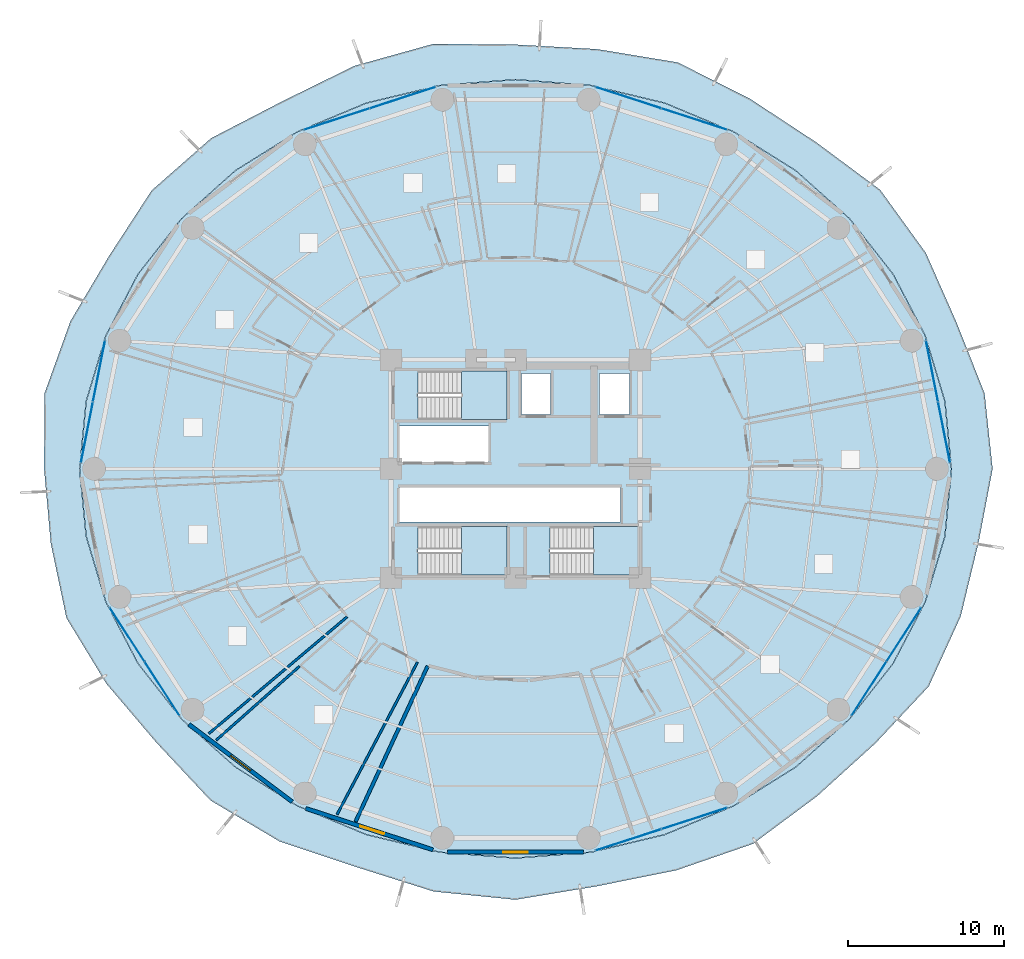
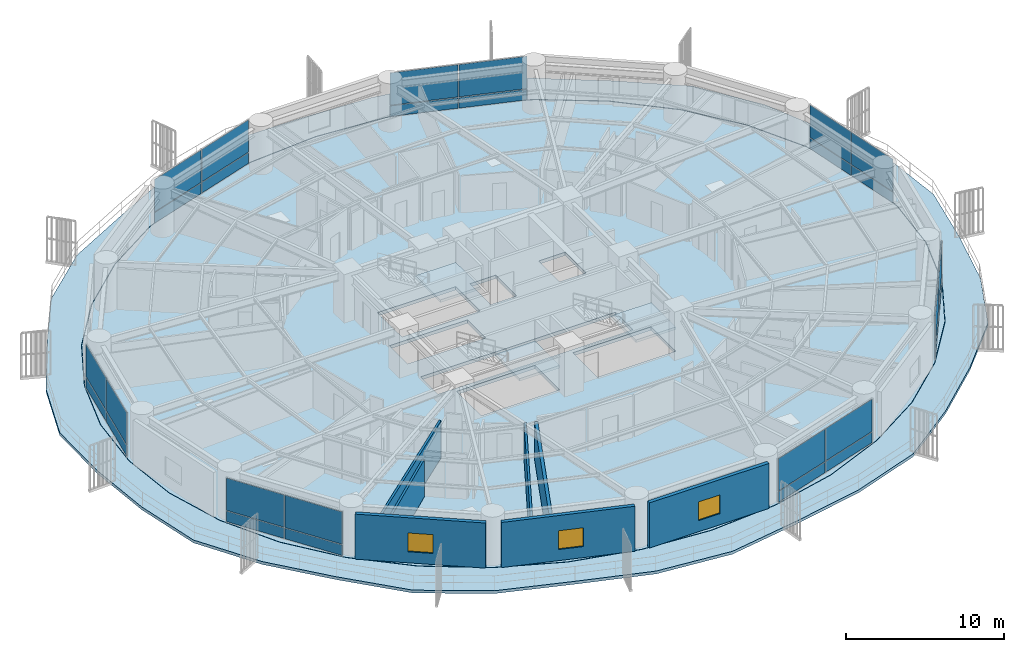
# One storey, part 22 of 33: 28 plates, 7 walls, 5 slabs, 3 windows, 3 openings, 10 elements without a shape of their own.
"""IFC4 building model written with IfcOpenShell, lengths in metres."""

from ifc_helpers import new_model, si_unit, direction, frame, frame_2d, origin, origin_2d, place, context, subcontext, project, spatial, polyline, rectangle, outline, extrude, source, transform, mapped, material, layer, layer_set, type_object, element, fill, aggregate, save


model = new_model("IFC4")

# Units and contexts
model_context = context("Model", 3, precision=1e-05, world=origin(), true_north=direction((0.0, 1.0)))
body_context = subcontext(model_context, "Body", "Model", "MODEL_VIEW")
ifc_project = project(units=[si_unit("LENGTHUNIT", "METRE"), si_unit("AREAUNIT", "SQUARE_METRE"), si_unit("VOLUMEUNIT", "CUBIC_METRE"), si_unit("PLANEANGLEUNIT", "RADIAN"), si_unit("MASSUNIT", "GRAM", prefix="KILO")], contexts=[model_context])

# Site, building, storey
site_placement = place(None, origin())
site = spatial("IfcSite", under=ifc_project, at=site_placement, CompositionType="ELEMENT")
building_placement = place(site_placement, origin())
building = spatial("IfcBuilding", under=site, at=building_placement, Name="Kelanora Arch Commons", CompositionType="ELEMENT")
storey_placement = place(building_placement, frame((0.0, 0.0, 37.5)))
storey = spatial("IfcBuildingStorey", under=building, at=storey_placement, Name="L09", CompositionType="ELEMENT", Elevation=37.5)

# Stair, slab
ifc_material_1 = material(Name="Concrete C40/50", Category="concrete")
stair_type = type_object("IfcStairType", Name="STR-DL-375", PredefinedType="HALF_TURN_STAIR", material=ifc_material_1)
stair_1_placement = place(storey_placement, origin())
stair_1 = element("IfcStair", 1, at=stair_1_placement, inside=storey, type_object=stair_type, Name="L09 ST-T1", PredefinedType="HALF_TURN_STAIR")
ifc_layer_1 = layer(ifc_material_1, 0.199951171875)
ifc_layer_set_1 = layer_set([ifc_layer_1], Name="Concrete C40/50")
slab_type_1 = type_object("IfcSlabType", Name="SLB-STAIR-LND", PredefinedType="LANDING", material=ifc_layer_set_1)
slab_1_placement = place(storey_placement, frame((0.0, 0.0, 1.675048828125)))
slab_1 = element("IfcSlab", 2, at=slab_1_placement, type_object=slab_type_1, Name="ST-T1 landing 1", PredefinedType="LANDING", context=body_context, shape_type="SweptSolid", body=[
    extrude(outline(polyline([(70.52001953125, 61.179931640625), (73.43994140625, 61.179931640625), (73.43994140625, 64.2900390625), (70.52001953125, 64.2900390625), (70.52001953125, 61.179931640625)])), origin(), (0.0, 0.0, 1.0), 0.199951171875),
])
aggregate(stair_1, [slab_1])

stair_2_placement = place(storey_placement, origin())
stair_2 = element("IfcStair", 3, at=stair_2_placement, inside=storey, type_object=stair_type, Name="L09 ST-T2", PredefinedType="HALF_TURN_STAIR")
slab_2_placement = place(storey_placement, frame((0.0, 0.0, 1.675048828125)))
slab_2 = element("IfcSlab", 4, at=slab_2_placement, type_object=slab_type_1, Name="ST-T2 landing 1", PredefinedType="LANDING", context=body_context, shape_type="SweptSolid", body=[
    extrude(outline(polyline([(79.0, 51.179931640625), (81.919921875, 51.179931640625), (81.919921875, 54.2900390625), (79.0, 54.2900390625), (79.0, 51.179931640625)])), origin(), (0.0, 0.0, 1.0), 0.199951171875),
])
aggregate(stair_2, [slab_2])

stair_3_placement = place(storey_placement, origin())
stair_3 = element("IfcStair", 5, at=stair_3_placement, inside=storey, type_object=stair_type, Name="L09 ST-T3", PredefinedType="HALF_TURN_STAIR")
slab_3_placement = place(storey_placement, frame((0.0, 0.0, 1.675048828125)))
slab_3 = element("IfcSlab", 6, at=slab_3_placement, type_object=slab_type_1, Name="ST-T3 landing 1", PredefinedType="LANDING", context=body_context, shape_type="SweptSolid", body=[
    extrude(outline(polyline([(70.52001953125, 51.179931640625), (73.43994140625, 51.179931640625), (73.43994140625, 54.2900390625), (70.52001953125, 54.2900390625), (70.52001953125, 51.179931640625)])), origin(), (0.0, 0.0, 1.0), 0.199951171875),
])
aggregate(stair_3, [slab_3])

# Slabs
ifc_layer_2 = layer(ifc_material_1, 0.260009765625)
ifc_layer_set_2 = layer_set([ifc_layer_2], Name="Concrete C40/50")
slab_type_2 = type_object("IfcSlabType", Name="SLB-TWR-TYP", PredefinedType="FLOOR", material=ifc_layer_set_2)
slab_4_placement = place(storey_placement, frame((0.0, 0.0, -0.260009765625)))
element("IfcSlab", 7, at=slab_4_placement, inside=storey, type_object=slab_type_2, Name="Tower Floor Slab L09", PredefinedType="FLOOR", context=body_context, shape_type="SweptSolid", body=[
    extrude(outline(polyline([(102.0, 58.0), (101.57470703125, 62.34130859375), (100.311279296875, 66.550537109375), (98.248779296875, 70.5), (95.44921875, 74.069580078125), (91.998046875, 77.151123046875), (88.0, 79.650634765625), (83.57666015625, 81.4921875), (78.862060546875, 82.6201171875), (74.0, 83.0), (69.137939453125, 82.6201171875), (64.42333984375, 81.4921875), (60.0, 79.650634765625), (56.001953125, 77.151123046875), (52.55078125, 74.069580078125), (49.751220703125, 70.5), (47.688720703125, 66.550537109375), (46.42529296875, 62.34130859375), (46.0, 58.0), (46.42529296875, 53.65869140625), (47.688720703125, 49.449462890625), (49.751220703125, 45.5), (52.55078125, 41.930419921875), (56.001953125, 38.848876953125), (60.0, 36.349365234375), (64.42333984375, 34.5078125), (69.137939453125, 33.3798828125), (74.0, 33.0), (78.862060546875, 33.3798828125), (83.57666015625, 34.5078125), (88.0, 36.349365234375), (91.998046875, 38.848876953125), (95.44921875, 41.930419921875), (98.248779296875, 45.5), (100.311279296875, 49.449462890625), (101.57470703125, 53.65869140625), (102.0, 58.0)]), holes=[polyline([(73.431884765625, 51.18798828125), (67.72802734375, 51.18798828125), (67.72802734375, 54.281982421875), (73.431884765625, 54.281982421875), (73.431884765625, 51.18798828125)]), polyline([(76.2080078125, 51.18798828125), (76.2080078125, 54.281982421875), (81.912109375, 54.281982421875), (81.912109375, 51.18798828125), (76.2080078125, 51.18798828125)]), polyline([(66.550048828125, 54.60009765625), (66.550048828125, 56.800048828125), (80.75, 56.800048828125), (80.75, 54.60009765625), (66.550048828125, 54.60009765625)]), polyline([(66.550048828125, 58.449951171875), (66.550048828125, 60.75), (72.25, 60.75), (72.25, 58.449951171875), (66.550048828125, 58.449951171875)]), polyline([(67.72802734375, 61.18798828125), (67.72802734375, 64.281982421875), (73.431884765625, 64.281982421875), (73.431884765625, 61.18798828125), (67.72802734375, 61.18798828125)]), polyline([(74.3798828125, 61.47998046875), (74.3798828125, 64.1201171875), (76.260009765625, 64.1201171875), (76.260009765625, 61.47998046875), (74.3798828125, 61.47998046875)]), polyline([(79.3798828125, 61.47998046875), (79.3798828125, 64.1201171875), (81.320068359375, 64.1201171875), (81.320068359375, 61.47998046875), (79.3798828125, 61.47998046875)])]), origin(), (0.0, 0.0, 1.0), 0.260009765625),
])
ifc_layer_3 = layer(ifc_material_1, 0.219970703125)
ifc_layer_set_3 = layer_set([ifc_layer_3], Name="Concrete C40/50")
slab_type_3 = type_object("IfcSlabType", Name="SLB-WAVE-BAL", PredefinedType="FLOOR", material=ifc_layer_set_3)
slab_5_placement = place(storey_placement, frame((0.0, 0.0, -0.219970703125)))
element("IfcSlab", 8, at=slab_5_placement, inside=storey, type_object=slab_type_3, Name="Sinusoidal Wave Balcony Slab L09", PredefinedType="FLOOR", context=body_context, shape_type="SweptSolid", body=[
    extrude(outline(polyline([(104.64990234375, 58.0), (104.13525390625, 62.846923828125), (102.34326171875, 67.37890625), (100.36376953125, 71.86767578125), (97.42578125, 75.92724609375), (93.350341796875, 78.956298828125), (89.087890625, 81.760986328125), (84.426513671875, 84.107666015625), (79.2314453125, 84.965576171875), (74.0, 85.255615234375), (68.716064453125, 85.2998046875), (63.64501953125, 83.8876953125), (58.99462890625, 81.60107421875), (54.43701171875, 79.239990234375), (50.61962890625, 75.884521484375), (47.898193359375, 71.6982421875), (45.4013671875, 67.48291015625), (43.744140625, 62.87060546875), (43.7099609375, 58.0), (44.139404296875, 53.20751953125), (45.14599609375, 48.4130859375), (47.718017578125, 44.185302734375), (50.927490234375, 40.40478515625), (54.392333984375, 36.700439453125), (58.824462890625, 34.06884765625), (63.74658203125, 32.4248046875), (68.73876953125, 30.84521484375), (74.0, 30.3154296875), (79.20849609375, 31.179443359375), (84.324951171875, 32.204833984375), (89.258056640625, 33.90869140625), (93.39501953125, 36.984130859375), (97.117919921875, 40.362060546875), (100.543701171875, 44.015869140625), (102.5986328125, 48.51708984375), (103.73974609375, 53.231201171875), (104.64990234375, 58.0)]), holes=[polyline([(101.59423828125, 53.6552734375), (100.330078125, 49.442626953125), (98.26611328125, 45.489990234375), (95.464599609375, 41.91748046875), (92.010986328125, 38.83349609375), (88.010009765625, 36.33203125), (83.58349609375, 34.489013671875), (78.865478515625, 33.360107421875), (74.0, 32.97998046875), (69.134521484375, 33.360107421875), (64.41650390625, 34.489013671875), (59.989990234375, 36.33203125), (55.989013671875, 38.83349609375), (52.535400390625, 41.91748046875), (49.73388671875, 45.489990234375), (47.669921875, 49.442626953125), (46.40576171875, 53.6552734375), (45.97998046875, 58.0), (46.40576171875, 62.3447265625), (47.669921875, 66.557373046875), (49.73388671875, 70.510009765625), (52.535400390625, 74.08251953125), (55.989013671875, 77.16650390625), (59.989990234375, 79.66796875), (64.41650390625, 81.510986328125), (69.134521484375, 82.639892578125), (74.0, 83.02001953125), (78.865478515625, 82.639892578125), (83.58349609375, 81.510986328125), (88.010009765625, 79.66796875), (92.010986328125, 77.16650390625), (95.464599609375, 74.08251953125), (98.26611328125, 70.510009765625), (100.330078125, 66.557373046875), (101.59423828125, 62.3447265625), (102.02001953125, 58.0), (101.59423828125, 53.6552734375)])]), origin(), (0.0, 0.0, 1.0), 0.219970703125),
])

# Curtain wall, plates
ifc_material_2 = material(Name="Terracotta ceramic-fritted low-E glass and aluminium", Category="masonry")
ifc_layer_4 = layer(ifc_material_2, 0.159912109375)
ifc_layer_set_4 = layer_set([ifc_layer_4], Name="Terracotta ceramic-fritted low-E glass and aluminium")
curtain_wall_type = type_object("IfcCurtainWallType", Name="CW-SYS-01", PredefinedType="NOTDEFINED", material=ifc_layer_set_4)
curtain_wall_1_placement = place(storey_placement, origin())
curtain_wall_1 = element("IfcCurtainWall", 9, at=curtain_wall_1_placement, inside=storey, type_object=curtain_wall_type, Name="Unitised Curtain Wall L09-B00", PredefinedType="NOTDEFINED")
ifc_material_3 = material(Name="Terracotta ceramic-fritted double glazing", Category="masonry")
ifc_layer_5 = layer(ifc_material_3, 0.028076171875)
ifc_layer_set_5 = layer_set([ifc_layer_5], Name="Terracotta ceramic-fritted double glazing")
plate_type = type_object("IfcPlateType", Name="CWP-FRIT", PredefinedType="CURTAIN_PANEL", material=ifc_layer_set_5)
shared_shape_1 = source(origin(), body_context, "Body", "SweptSolid", [
    extrude(rectangle(XDim=3.9482421875, YDim=0.028076171875, at=origin_2d()), origin(), (0.0, 0.0, 1.0), 0.81005859375),
])
plate_1_placement = place(storey_placement, frame((101.536865234375, 60.34521484375, 0.06005859375), z_axis=(0.0, 0.0, 1.0), x_axis=(-0.193744048498, 0.981052110579, 0.0)))
plate_1 = element("IfcPlate", 10, at=plate_1_placement, type_object=plate_type, Name="CW-01 panel 1.1", PredefinedType="CURTAIN_PANEL", context=body_context, shape_type="MappedRepresentation", body=[
    mapped(shared_shape_1, transform((0.0, 0.0, 0.0), scale=1.0)),
])
plate_2_placement = place(storey_placement, frame((100.76025390625, 64.277587890625, 0.06005859375), z_axis=(0.0, 0.0, 1.0), x_axis=(-0.193744048498, 0.981052110579, 0.0)))
plate_2 = element("IfcPlate", 11, at=plate_2_placement, type_object=plate_type, Name="CW-01 panel 2.1", PredefinedType="CURTAIN_PANEL", context=body_context, shape_type="MappedRepresentation", body=[
    mapped(shared_shape_1, transform((0.0, 0.0, 0.0), scale=1.0)),
])

curtain_wall_2_placement = place(storey_placement, origin())
curtain_wall_2 = element("IfcCurtainWall", 12, at=curtain_wall_2_placement, inside=storey, type_object=curtain_wall_type, Name="Unitised Curtain Wall L09-B08", PredefinedType="NOTDEFINED")
plate_3_placement = place(storey_placement, frame((47.23974609375, 64.277587890625, 0.06005859375), z_axis=(0.0, 0.0, 1.0), x_axis=(-0.193744048498, -0.981052110579, 0.0)))
plate_3 = element("IfcPlate", 13, at=plate_3_placement, type_object=plate_type, Name="CW-01 panel 1.1", PredefinedType="CURTAIN_PANEL", context=body_context, shape_type="MappedRepresentation", body=[
    mapped(shared_shape_1, transform((0.0, 0.0, 0.0), scale=1.0)),
])
plate_4_placement = place(storey_placement, frame((46.463134765625, 60.34521484375, 0.06005859375), z_axis=(0.0, 0.0, 1.0), x_axis=(-0.193744048498, -0.981052110579, 0.0)))
plate_4 = element("IfcPlate", 14, at=plate_4_placement, type_object=plate_type, Name="CW-01 panel 2.1", PredefinedType="CURTAIN_PANEL", context=body_context, shape_type="MappedRepresentation", body=[
    mapped(shared_shape_1, transform((0.0, 0.0, 0.0), scale=1.0)),
])

# Plate
shared_shape_2 = source(origin(), body_context, "Body", "SweptSolid", [
    extrude(rectangle(XDim=3.9482421875, YDim=0.028076171875, at=origin_2d()), origin(), (0.0, 0.0, 1.0), 2.485107421875),
])
plate_5_placement = place(storey_placement, frame((101.536865234375, 60.34521484375, 0.93017578125), z_axis=(0.0, 0.0, 1.0), x_axis=(-0.193744048498, 0.981052110579, 0.0)))
plate_5 = element("IfcPlate", 15, at=plate_5_placement, type_object=plate_type, Name="CW-01 panel 1.2", PredefinedType="CURTAIN_PANEL", context=body_context, shape_type="MappedRepresentation", body=[
    mapped(shared_shape_2, transform((0.0, 0.0, 0.0), scale=1.0)),
])

plate_6_placement = place(storey_placement, frame((100.76025390625, 64.277587890625, 0.93017578125), z_axis=(0.0, 0.0, 1.0), x_axis=(-0.193744048498, 0.981052110579, 0.0)))
plate_6 = element("IfcPlate", 16, at=plate_6_placement, type_object=plate_type, Name="CW-01 panel 2.2", PredefinedType="CURTAIN_PANEL", context=body_context, shape_type="MappedRepresentation", body=[
    mapped(shared_shape_2, transform((0.0, 0.0, 0.0), scale=1.0)),
])

aggregate(curtain_wall_1, [plate_1, plate_5, plate_2, plate_6])

plate_7_placement = place(storey_placement, frame((47.23974609375, 64.277587890625, 0.93017578125), z_axis=(0.0, 0.0, 1.0), x_axis=(-0.193744048498, -0.981052110579, 0.0)))
plate_7 = element("IfcPlate", 17, at=plate_7_placement, type_object=plate_type, Name="CW-01 panel 1.2", PredefinedType="CURTAIN_PANEL", context=body_context, shape_type="MappedRepresentation", body=[
    mapped(shared_shape_2, transform((0.0, 0.0, 0.0), scale=1.0)),
])

plate_8_placement = place(storey_placement, frame((46.463134765625, 60.34521484375, 0.93017578125), z_axis=(0.0, 0.0, 1.0), x_axis=(-0.193744048498, -0.981052110579, 0.0)))
plate_8 = element("IfcPlate", 18, at=plate_8_placement, type_object=plate_type, Name="CW-01 panel 2.2", PredefinedType="CURTAIN_PANEL", context=body_context, shape_type="MappedRepresentation", body=[
    mapped(shared_shape_2, transform((0.0, 0.0, 0.0), scale=1.0)),
])

aggregate(curtain_wall_2, [plate_3, plate_7, plate_4, plate_8])

# Curtain wall, plates
curtain_wall_3_placement = place(storey_placement, origin())
curtain_wall_3 = element("IfcCurtainWall", 19, at=curtain_wall_3_placement, inside=storey, type_object=curtain_wall_type, Name="Unitised Curtain Wall L09-B03", PredefinedType="NOTDEFINED")
shared_shape_3 = source(origin(), body_context, "Body", "SweptSolid", [
    extrude(rectangle(XDim=4.39453125, YDim=0.028076171875, at=origin_2d()), origin(), (0.0, 0.0, 1.0), 0.81005859375),
])
plate_9_placement = place(storey_placement, frame((85.4892578125, 80.466552734375, 0.06005859375), z_axis=(0.0, 0.0, 1.0), x_axis=(-0.951043326793, 0.30905758454, 0.0)))
plate_9 = element("IfcPlate", 20, at=plate_9_placement, type_object=plate_type, Name="CW-01 panel 1.1", PredefinedType="CURTAIN_PANEL", context=body_context, shape_type="MappedRepresentation", body=[
    mapped(shared_shape_3, transform((0.0, 0.0, 0.0), scale=1.0)),
])
plate_10_placement = place(storey_placement, frame((81.252685546875, 81.84326171875, 0.06005859375), z_axis=(0.0, 0.0, 1.0), x_axis=(-0.951043326793, 0.30905758454, 0.0)))
plate_10 = element("IfcPlate", 21, at=plate_10_placement, type_object=plate_type, Name="CW-01 panel 2.1", PredefinedType="CURTAIN_PANEL", context=body_context, shape_type="MappedRepresentation", body=[
    mapped(shared_shape_3, transform((0.0, 0.0, 0.0), scale=1.0)),
])

curtain_wall_4_placement = place(storey_placement, origin())
curtain_wall_4 = element("IfcCurtainWall", 22, at=curtain_wall_4_placement, inside=storey, type_object=curtain_wall_type, Name="Unitised Curtain Wall L09-B05", PredefinedType="NOTDEFINED")
plate_11_placement = place(storey_placement, frame((66.747314453125, 81.84326171875, 0.06005859375), z_axis=(0.0, 0.0, 1.0), x_axis=(-0.951043326793, -0.30905758454, 0.0)))
plate_11 = element("IfcPlate", 23, at=plate_11_placement, type_object=plate_type, Name="CW-01 panel 1.1", PredefinedType="CURTAIN_PANEL", context=body_context, shape_type="MappedRepresentation", body=[
    mapped(shared_shape_3, transform((0.0, 0.0, 0.0), scale=1.0)),
])
plate_12_placement = place(storey_placement, frame((62.5107421875, 80.466552734375, 0.06005859375), z_axis=(0.0, 0.0, 1.0), x_axis=(-0.951043326793, -0.30905758454, 0.0)))
plate_12 = element("IfcPlate", 24, at=plate_12_placement, type_object=plate_type, Name="CW-01 panel 2.1", PredefinedType="CURTAIN_PANEL", context=body_context, shape_type="MappedRepresentation", body=[
    mapped(shared_shape_3, transform((0.0, 0.0, 0.0), scale=1.0)),
])

curtain_wall_5_placement = place(storey_placement, origin())
curtain_wall_5 = element("IfcCurtainWall", 25, at=curtain_wall_5_placement, inside=storey, type_object=curtain_wall_type, Name="Unitised Curtain Wall L09-B14", PredefinedType="NOTDEFINED")
plate_13_placement = place(storey_placement, frame((81.252685546875, 34.15673828125, 0.06005859375), z_axis=(0.0, 0.0, 1.0), x_axis=(0.951043326793, 0.30905758454, 0.0)))
plate_13 = element("IfcPlate", 26, at=plate_13_placement, type_object=plate_type, Name="CW-01 panel 1.1", PredefinedType="CURTAIN_PANEL", context=body_context, shape_type="MappedRepresentation", body=[
    mapped(shared_shape_3, transform((0.0, 0.0, 0.0), scale=1.0)),
])
plate_14_placement = place(storey_placement, frame((85.4892578125, 35.533447265625, 0.06005859375), z_axis=(0.0, 0.0, 1.0), x_axis=(0.951043326793, 0.30905758454, 0.0)))
plate_14 = element("IfcPlate", 27, at=plate_14_placement, type_object=plate_type, Name="CW-01 panel 2.1", PredefinedType="CURTAIN_PANEL", context=body_context, shape_type="MappedRepresentation", body=[
    mapped(shared_shape_3, transform((0.0, 0.0, 0.0), scale=1.0)),
])

# Plate
shared_shape_4 = source(origin(), body_context, "Body", "SweptSolid", [
    extrude(rectangle(XDim=4.39453125, YDim=0.028076171875, at=origin_2d()), origin(), (0.0, 0.0, 1.0), 2.485107421875),
])
plate_15_placement = place(storey_placement, frame((85.4892578125, 80.466552734375, 0.93017578125), z_axis=(0.0, 0.0, 1.0), x_axis=(-0.951043326793, 0.30905758454, 0.0)))
plate_15 = element("IfcPlate", 28, at=plate_15_placement, type_object=plate_type, Name="CW-01 panel 1.2", PredefinedType="CURTAIN_PANEL", context=body_context, shape_type="MappedRepresentation", body=[
    mapped(shared_shape_4, transform((0.0, 0.0, 0.0), scale=1.0)),
])

plate_16_placement = place(storey_placement, frame((81.252685546875, 81.84326171875, 0.93017578125), z_axis=(0.0, 0.0, 1.0), x_axis=(-0.951043326793, 0.30905758454, 0.0)))
plate_16 = element("IfcPlate", 29, at=plate_16_placement, type_object=plate_type, Name="CW-01 panel 2.2", PredefinedType="CURTAIN_PANEL", context=body_context, shape_type="MappedRepresentation", body=[
    mapped(shared_shape_4, transform((0.0, 0.0, 0.0), scale=1.0)),
])

aggregate(curtain_wall_3, [plate_9, plate_15, plate_10, plate_16])

plate_17_placement = place(storey_placement, frame((66.747314453125, 81.84326171875, 0.93017578125), z_axis=(0.0, 0.0, 1.0), x_axis=(-0.951043326793, -0.30905758454, 0.0)))
plate_17 = element("IfcPlate", 30, at=plate_17_placement, type_object=plate_type, Name="CW-01 panel 1.2", PredefinedType="CURTAIN_PANEL", context=body_context, shape_type="MappedRepresentation", body=[
    mapped(shared_shape_4, transform((0.0, 0.0, 0.0), scale=1.0)),
])

plate_18_placement = place(storey_placement, frame((62.5107421875, 80.466552734375, 0.93017578125), z_axis=(0.0, 0.0, 1.0), x_axis=(-0.951043326793, -0.30905758454, 0.0)))
plate_18 = element("IfcPlate", 31, at=plate_18_placement, type_object=plate_type, Name="CW-01 panel 2.2", PredefinedType="CURTAIN_PANEL", context=body_context, shape_type="MappedRepresentation", body=[
    mapped(shared_shape_4, transform((0.0, 0.0, 0.0), scale=1.0)),
])

aggregate(curtain_wall_4, [plate_11, plate_17, plate_12, plate_18])

plate_19_placement = place(storey_placement, frame((81.252685546875, 34.15673828125, 0.93017578125), z_axis=(0.0, 0.0, 1.0), x_axis=(0.951043326793, 0.30905758454, 0.0)))
plate_19 = element("IfcPlate", 32, at=plate_19_placement, type_object=plate_type, Name="CW-01 panel 1.2", PredefinedType="CURTAIN_PANEL", context=body_context, shape_type="MappedRepresentation", body=[
    mapped(shared_shape_4, transform((0.0, 0.0, 0.0), scale=1.0)),
])

plate_20_placement = place(storey_placement, frame((85.4892578125, 35.533447265625, 0.93017578125), z_axis=(0.0, 0.0, 1.0), x_axis=(0.951043326793, 0.30905758454, 0.0)))
plate_20 = element("IfcPlate", 33, at=plate_20_placement, type_object=plate_type, Name="CW-01 panel 2.2", PredefinedType="CURTAIN_PANEL", context=body_context, shape_type="MappedRepresentation", body=[
    mapped(shared_shape_4, transform((0.0, 0.0, 0.0), scale=1.0)),
])

aggregate(curtain_wall_5, [plate_13, plate_19, plate_14, plate_20])

# Curtain wall, plates
curtain_wall_6_placement = place(storey_placement, origin())
curtain_wall_6 = element("IfcCurtainWall", 34, at=curtain_wall_6_placement, inside=storey, type_object=curtain_wall_type, Name="Unitised Curtain Wall L09-B10", PredefinedType="NOTDEFINED")
shared_shape_5 = source(origin(), body_context, "Body", "SweptSolid", [
    extrude(rectangle(XDim=4.06787109375, YDim=0.028076171875, at=origin_2d()), origin(), (0.0, 0.0, 1.0), 0.81005859375),
])
plate_21_placement = place(storey_placement, frame((49.04833984375, 47.346435546875, 0.06005859375), z_axis=(0.0, 0.0, 1.0), x_axis=(0.543004441812, -0.83972982332, 0.0)))
plate_21 = element("IfcPlate", 35, at=plate_21_placement, type_object=plate_type, Name="CW-01 panel 1.1", PredefinedType="CURTAIN_PANEL", context=body_context, shape_type="MappedRepresentation", body=[
    mapped(shared_shape_5, transform((0.0, 0.0, 0.0), scale=1.0)),
])
plate_22_placement = place(storey_placement, frame((51.289794921875, 43.880126953125, 0.06005859375), z_axis=(0.0, 0.0, 1.0), x_axis=(0.543004441812, -0.83972982332, 0.0)))
plate_22 = element("IfcPlate", 36, at=plate_22_placement, type_object=plate_type, Name="CW-01 panel 2.1", PredefinedType="CURTAIN_PANEL", context=body_context, shape_type="MappedRepresentation", body=[
    mapped(shared_shape_5, transform((0.0, 0.0, 0.0), scale=1.0)),
])

curtain_wall_7_placement = place(storey_placement, origin())
curtain_wall_7 = element("IfcCurtainWall", 37, at=curtain_wall_7_placement, inside=storey, type_object=curtain_wall_type, Name="Unitised Curtain Wall L09-B16", PredefinedType="NOTDEFINED")
plate_23_placement = place(storey_placement, frame((96.710205078125, 43.880126953125, 0.06005859375), z_axis=(0.0, 0.0, 1.0), x_axis=(0.543004441812, 0.83972982332, 0.0)))
plate_23 = element("IfcPlate", 38, at=plate_23_placement, type_object=plate_type, Name="CW-01 panel 1.1", PredefinedType="CURTAIN_PANEL", context=body_context, shape_type="MappedRepresentation", body=[
    mapped(shared_shape_5, transform((0.0, 0.0, 0.0), scale=1.0)),
])
plate_24_placement = place(storey_placement, frame((98.95166015625, 47.346435546875, 0.06005859375), z_axis=(0.0, 0.0, 1.0), x_axis=(0.543004441812, 0.83972982332, 0.0)))
plate_24 = element("IfcPlate", 39, at=plate_24_placement, type_object=plate_type, Name="CW-01 panel 2.1", PredefinedType="CURTAIN_PANEL", context=body_context, shape_type="MappedRepresentation", body=[
    mapped(shared_shape_5, transform((0.0, 0.0, 0.0), scale=1.0)),
])

# Plate
shared_shape_6 = source(origin(), body_context, "Body", "SweptSolid", [
    extrude(rectangle(XDim=4.06787109375, YDim=0.028076171875, at=origin_2d()), origin(), (0.0, 0.0, 1.0), 2.485107421875),
])
plate_25_placement = place(storey_placement, frame((49.04833984375, 47.346435546875, 0.93017578125), z_axis=(0.0, 0.0, 1.0), x_axis=(0.543004441812, -0.83972982332, 0.0)))
plate_25 = element("IfcPlate", 40, at=plate_25_placement, type_object=plate_type, Name="CW-01 panel 1.2", PredefinedType="CURTAIN_PANEL", context=body_context, shape_type="MappedRepresentation", body=[
    mapped(shared_shape_6, transform((0.0, 0.0, 0.0), scale=1.0)),
])

plate_26_placement = place(storey_placement, frame((51.289794921875, 43.880126953125, 0.93017578125), z_axis=(0.0, 0.0, 1.0), x_axis=(0.543004441812, -0.83972982332, 0.0)))
plate_26 = element("IfcPlate", 41, at=plate_26_placement, type_object=plate_type, Name="CW-01 panel 2.2", PredefinedType="CURTAIN_PANEL", context=body_context, shape_type="MappedRepresentation", body=[
    mapped(shared_shape_6, transform((0.0, 0.0, 0.0), scale=1.0)),
])

aggregate(curtain_wall_6, [plate_21, plate_25, plate_22, plate_26])

plate_27_placement = place(storey_placement, frame((96.710205078125, 43.880126953125, 0.93017578125), z_axis=(0.0, 0.0, 1.0), x_axis=(0.543004441812, 0.83972982332, 0.0)))
plate_27 = element("IfcPlate", 42, at=plate_27_placement, type_object=plate_type, Name="CW-01 panel 1.2", PredefinedType="CURTAIN_PANEL", context=body_context, shape_type="MappedRepresentation", body=[
    mapped(shared_shape_6, transform((0.0, 0.0, 0.0), scale=1.0)),
])

plate_28_placement = place(storey_placement, frame((98.95166015625, 47.346435546875, 0.93017578125), z_axis=(0.0, 0.0, 1.0), x_axis=(0.543004441812, 0.83972982332, 0.0)))
plate_28 = element("IfcPlate", 43, at=plate_28_placement, type_object=plate_type, Name="CW-01 panel 2.2", PredefinedType="CURTAIN_PANEL", context=body_context, shape_type="MappedRepresentation", body=[
    mapped(shared_shape_6, transform((0.0, 0.0, 0.0), scale=1.0)),
])

aggregate(curtain_wall_7, [plate_23, plate_27, plate_24, plate_28])

# Walls
ifc_material_4 = material(Name="Autoclaved aerated concrete blockwork with fire plaster", Category="masonry")
ifc_layer_6 = layer(ifc_material_4, 0.14990234375)
ifc_layer_set_6 = layer_set([ifc_layer_6], Name="Autoclaved aerated concrete blockwork with fire plaster")
wall_type_1 = type_object("IfcWallType", Name="W-COMP-150", PredefinedType="PARTITIONING", material=ifc_layer_set_6)
wall_1_placement = place(storey_placement, frame((63.176513671875, 48.4892578125, 0.0), z_axis=(0.0, 0.0, 1.0), x_axis=(-0.763989878534, -0.64522822745, 0.0)))
element("IfcWall", 44, at=wall_1_placement, inside=storey, type_object=wall_type_1, Name="Co-Living Studio L09-14 Enclosure Partition 2", PredefinedType="PARTITIONING", context=body_context, shape_type="SweptSolid", body=[
    extrude(rectangle(XDim=11.623046875, YDim=0.14990234375, at=frame_2d((5.8115234375, 0.0))), origin(), (0.0, 0.0, 1.0), 2.875),
])
wall_2_placement = place(storey_placement, frame((67.7001953125, 45.58154296875, 0.0), z_axis=(0.0, 0.0, 1.0), x_axis=(-0.466733692948, -0.884397908109, 0.0)))
element("IfcWall", 45, at=wall_2_placement, inside=storey, type_object=wall_type_1, Name="Co-Living Studio L09-15 Enclosure Partition 2", PredefinedType="PARTITIONING", context=body_context, shape_type="SweptSolid", body=[
    extrude(rectangle(XDim=11.065185546875, YDim=0.14990234375, at=frame_2d((5.53271484375, 0.0))), origin(), (0.0, 0.0, 1.0), 2.875),
])
wall_3_placement = place(storey_placement, frame((54.768798828125, 40.56640625, 0.0), z_axis=(0.0, 0.0, 1.0), x_axis=(0.748154724485, 0.663524308697, 0.0)))
element("IfcWall", 46, at=wall_3_placement, inside=storey, type_object=wall_type_1, Name="Co-Living Studio L09-15 Enclosure Partition 5", PredefinedType="PARTITIONING", context=body_context, shape_type="SweptSolid", body=[
    extrude(rectangle(XDim=7.1513671875, YDim=0.14990234375, at=frame_2d((3.57568359375, 0.0))), origin(), (0.0, 0.0, 1.0), 2.875),
])

# Wall, opening, window
ifc_material_5 = material(Name="Precast concrete C40/50 with terracotta rainscreen", Category="masonry")
ifc_layer_7 = layer(ifc_material_5, 0.260009765625)
ifc_layer_set_7 = layer_set([ifc_layer_7], Name="Precast concrete C40/50 with terracotta rainscreen")
wall_type_2 = type_object("IfcWallType", Name="W-EXT-TC", PredefinedType="SOLIDWALL", material=ifc_layer_set_7)
wall_4_placement = place(storey_placement, frame((53.01611328125, 41.581787109375, 0.0), z_axis=(0.0, 0.0, 1.0), x_axis=(0.80030733173, -0.599590005569, 0.0)))
wall_4 = element("IfcWall", 47, at=wall_4_placement, inside=storey, type_object=wall_type_2, Name="Terracotta Exterior Wall L09-B11", PredefinedType="SOLIDWALL", context=body_context, shape_type="SweptSolid", body=[
    extrude(rectangle(XDim=8.29052734375, YDim=0.260009765625, at=frame_2d((4.145263671875, 0.0))), origin(), (0.0, 0.0, 1.0), 3.47509765625),
])
opening_1_placement = place(wall_4_placement, frame((3.344970703125, 0.0, 0.85009765625)))
opening_1 = element("IfcOpeningElement", 48, at=opening_1_placement, cuts=wall_4, Name="Opening WN-01", PredefinedType="OPENING", context=body_context, shape_type="SweptSolid", body=[
    extrude(rectangle(XDim=1.60009765625, YDim=1.449951171875, at=frame_2d((0.800048828125, 0.72509765625))), frame((0.0, 0.14013671875, 0.0), z_axis=(0.0, -1.0, 0.0), x_axis=(1.0, 0.0, 0.0)), (0.0, 0.0, 1.0), 0.280029296875),
])
ifc_material_6 = material(Name="Terracotta-anodised aluminium frame with operable low-E glazing", Category="masonry")
window_type = type_object("IfcWindowType", Name="WIN-CL-18", PartitioningType="DOUBLE_PANEL_VERTICAL", PredefinedType="WINDOW", material=ifc_material_6)
window_1_placement = place(opening_1_placement, origin())
window_1 = element("IfcWindow", 49, at=window_1_placement, inside=storey, type_object=window_type, Name="Co-Living Operable Window L09-B11", OverallHeight=1.449951171875, OverallWidth=1.60009765625, PartitioningType="SINGLE_PANEL", PredefinedType="WINDOW", context=body_context, shape_type="SweptSolid", body=[
    extrude(rectangle(XDim=1.60009765625, YDim=1.449951171875, at=frame_2d((0.800048828125, 0.72509765625))), frame((0.0, 0.030029296875, 0.0), z_axis=(0.0, -1.0, 0.0), x_axis=(1.0, 0.0, 0.0)), (0.0, 0.0, 1.0), 0.06005859375),
])
fill(opening_1, window_1)

wall_5_placement = place(storey_placement, frame((60.5263671875, 36.178466796875, 0.0), z_axis=(0.0, 0.0, 1.0), x_axis=(0.951039914291, -0.309068085421, 0.0)))
wall_5 = element("IfcWall", 50, at=wall_5_placement, inside=storey, type_object=wall_type_2, Name="Terracotta Exterior Wall L09-B12", PredefinedType="SOLIDWALL", context=body_context, shape_type="SweptSolid", body=[
    extrude(rectangle(XDim=8.593505859375, YDim=0.260009765625, at=frame_2d((4.296875, 0.0))), origin(), (0.0, 0.0, 1.0), 3.47509765625),
])
opening_2_placement = place(wall_5_placement, frame((3.677001953125, 0.0, 0.85009765625)))
opening_2 = element("IfcOpeningElement", 51, at=opening_2_placement, cuts=wall_5, Name="Opening WN-01", PredefinedType="OPENING", context=body_context, shape_type="SweptSolid", body=[
    extrude(rectangle(XDim=1.60009765625, YDim=1.449951171875, at=frame_2d((0.800048828125, 0.72509765625))), frame((0.0, 0.14013671875, 0.0), z_axis=(0.0, -1.0, 0.0), x_axis=(1.0, 0.0, 0.0)), (0.0, 0.0, 1.0), 0.280029296875),
])
window_2_placement = place(opening_2_placement, origin())
window_2 = element("IfcWindow", 52, at=window_2_placement, inside=storey, type_object=window_type, Name="Co-Living Operable Window L09-B12", OverallHeight=1.449951171875, OverallWidth=1.60009765625, PartitioningType="SINGLE_PANEL", PredefinedType="WINDOW", context=body_context, shape_type="SweptSolid", body=[
    extrude(rectangle(XDim=1.60009765625, YDim=1.449951171875, at=frame_2d((0.800048828125, 0.72509765625))), frame((0.0, 0.030029296875, 0.0), z_axis=(0.0, -1.0, 0.0), x_axis=(1.0, 0.0, 0.0)), (0.0, 0.0, 1.0), 0.06005859375),
])
fill(opening_2, window_2)

wall_6_placement = place(storey_placement, frame((69.64404296875, 33.3798828125, 0.0), z_axis=(0.0, 0.0, 1.0), x_axis=(1.0, 0.0, 0.0)))
wall_6 = element("IfcWall", 53, at=wall_6_placement, inside=storey, type_object=wall_type_2, Name="Terracotta Exterior Wall L09-B13", PredefinedType="SOLIDWALL", context=body_context, shape_type="SweptSolid", body=[
    extrude(rectangle(XDim=8.7119140625, YDim=0.260009765625, at=frame_2d((4.35595703125, 0.0))), origin(), (0.0, 0.0, 1.0), 3.47509765625),
])
opening_3_placement = place(wall_6_placement, frame((3.555908203125, 0.0, 0.85009765625)))
opening_3 = element("IfcOpeningElement", 54, at=opening_3_placement, cuts=wall_6, Name="Opening WN-01", PredefinedType="OPENING", context=body_context, shape_type="SweptSolid", body=[
    extrude(rectangle(XDim=1.60009765625, YDim=1.449951171875, at=frame_2d((0.800048828125, 0.72509765625))), frame((0.0, 0.14013671875, 0.0), z_axis=(0.0, -1.0, 0.0), x_axis=(1.0, 0.0, 0.0)), (0.0, 0.0, 1.0), 0.280029296875),
])
window_3_placement = place(opening_3_placement, origin())
window_3 = element("IfcWindow", 55, at=window_3_placement, inside=storey, type_object=window_type, Name="Co-Living Operable Window L09-B13", OverallHeight=1.449951171875, OverallWidth=1.60009765625, PartitioningType="SINGLE_PANEL", PredefinedType="WINDOW", context=body_context, shape_type="SweptSolid", body=[
    extrude(rectangle(XDim=1.60009765625, YDim=1.449951171875, at=frame_2d((0.800048828125, 0.72509765625))), frame((0.0, 0.030029296875, 0.0), z_axis=(0.0, -1.0, 0.0), x_axis=(1.0, 0.0, 0.0)), (0.0, 0.0, 1.0), 0.06005859375),
])
fill(opening_3, window_3)

# Wall
ifc_layer_8 = layer(ifc_material_1, 0.219970703125)
ifc_layer_set_8 = layer_set([ifc_layer_8], Name="Concrete C40/50")
wall_type_3 = type_object("IfcWallType", Name="W-REF-200", PredefinedType="SOLIDWALL", material=ifc_layer_set_8)
wall_7_placement = place(storey_placement, frame((63.722900390625, 35.33935546875, 0.0), z_axis=(0.0, 0.0, 1.0), x_axis=(0.420652492624, 0.907221847427, 0.0)))
element("IfcWall", 56, at=wall_7_placement, inside=storey, type_object=wall_type_3, Name="Two-Hour Fire Refuge Holding Room L09 Enclosure Partition 8", PredefinedType="SOLIDWALL", context=body_context, shape_type="SweptSolid", body=[
    extrude(rectangle(XDim=11.007568359375, YDim=0.219970703125, at=frame_2d((5.50390625, 0.0))), origin(), (0.0, 0.0, 1.0), 2.875),
])

save(model, "model.ifc")
